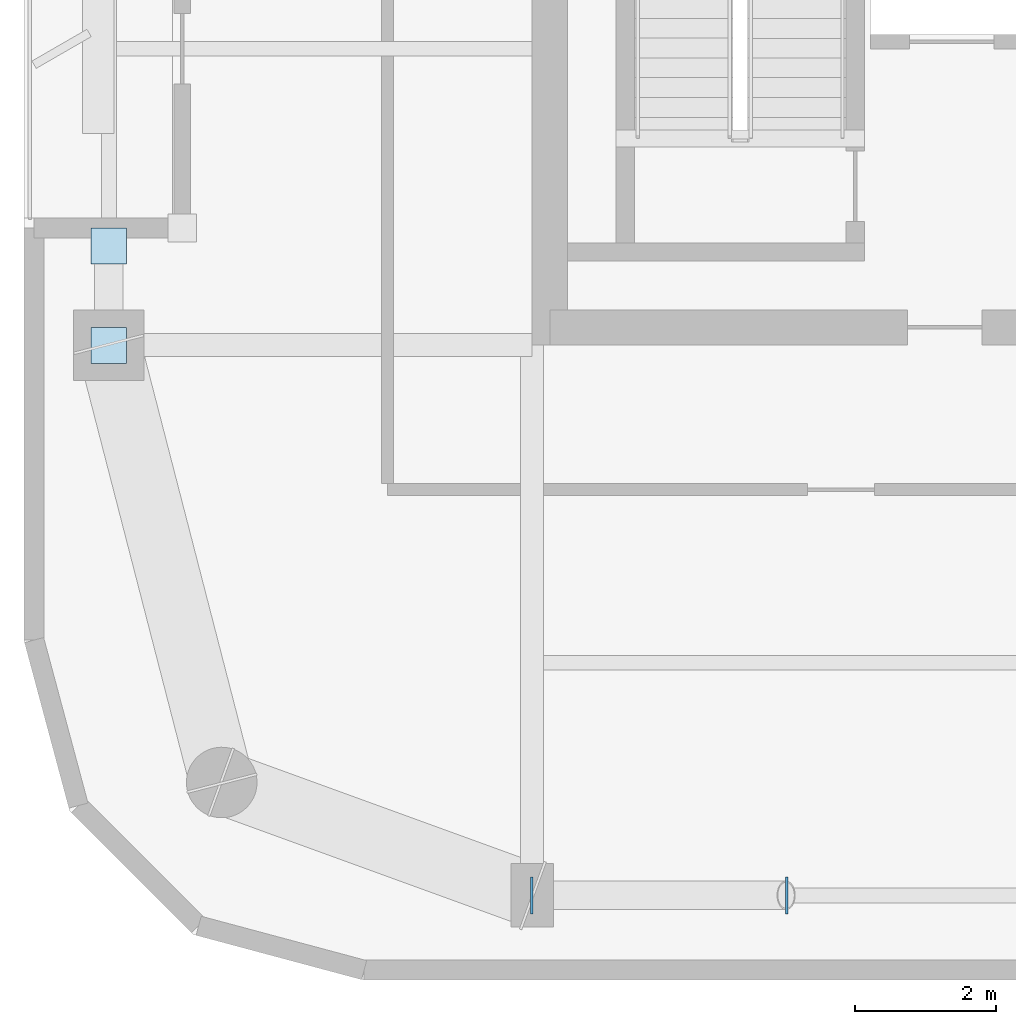
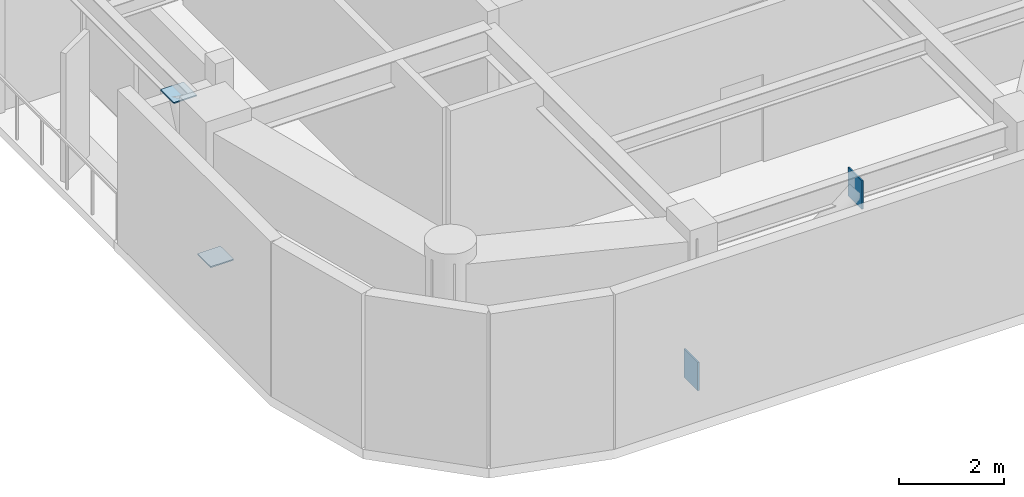
# One storey, part 8 of 15: 4 plates.
"""IFC4 building model written with IfcOpenShell, lengths in metres."""

from ifc_helpers import new_model, si_unit, direction, frame, origin, origin_2d, place, context, subcontext, project, spatial, rectangle, extrude, material, layer, layer_set, type_object, element, save


model = new_model("IFC4")

# Units and contexts
model_context = context("Model", 3, precision=1e-05, world=origin(), true_north=direction((0.0, 1.0)))
body_context = subcontext(model_context, "Body", "Model", "MODEL_VIEW")
ifc_project = project(units=[si_unit("LENGTHUNIT", "METRE"), si_unit("AREAUNIT", "SQUARE_METRE"), si_unit("VOLUMEUNIT", "CUBIC_METRE"), si_unit("PLANEANGLEUNIT", "RADIAN"), si_unit("MASSUNIT", "GRAM", prefix="KILO")], contexts=[model_context])

# Site, building, storey
site_placement = place(None, origin())
site = spatial("IfcSite", under=ifc_project, at=site_placement, CompositionType="ELEMENT")
building_placement = place(site_placement, origin())
building = spatial("IfcBuilding", under=site, at=building_placement, Name="Kiyonajd Concourse Tower", CompositionType="ELEMENT")
storey_placement = place(building_placement, frame((0.0, 0.0, 278.39990234375)))
storey = spatial("IfcBuildingStorey", under=building, at=storey_placement, Name="L70", CompositionType="ELEMENT", Elevation=278.39990234375)

# Plates
ifc_material = material(Name="Steel ASTM A572 Grade 50", Category="steel")
ifc_layer = layer(ifc_material, 0.028076171875)
ifc_layer_set = layer_set([ifc_layer], Name="Steel ASTM A572 Grade 50")
plate_type = type_object("IfcPlateType", Name="PL-CAP-450", PredefinedType="USERDEFINED", material=ifc_layer_set)
for number, where, z_axis, x_axis, name in (
    (1, (32.3916015625, 19.800048828125, -0.039306640625), (0.0, 0.0, 1.0), (-1.0, 0.0, 0.0), "L70 Hollow Brace End Cap Plate PBS"),
    (2, (36.008544921875, 19.800048828125, 2.924560546875), (0.0, 0.0, 1.0), (1.0, 0.0, 0.0), "L70 Hollow Brace Top Cap Plate PBS"),
):
    element("IfcPlate", number, at=place(storey_placement, frame(where, z_axis=z_axis, x_axis=x_axis)), inside=storey, type_object=plate_type, Name=name, ObjectType="CAP PLATE", PredefinedType="USERDEFINED", context=body_context, shape_type="SweptSolid", body=[
        extrude(rectangle(XDim=0.035888671875, YDim=0.52587890625, at=origin_2d()), origin(), (0.0, 0.0, 1.0), 0.6650390625),
    ])
for number, where, z_axis, x_axis, name in (
    (3, (26.39990234375, 27.59521484375, 0.2763671875), (0.0, 0.0, 1.0), (1.0, 0.0, 0.0), "L70 Hollow Brace End Cap Plate PBW"),
    (4, (26.39990234375, 29.004638671875, 3.24609375), (0.0, 0.0, 1.0), (1.0, 0.0, 0.0), "L70 Hollow Brace Top Cap Plate PBW"),
):
    element("IfcPlate", number, at=place(storey_placement, frame(where, z_axis=z_axis, x_axis=x_axis)), inside=storey, type_object=plate_type, Name=name, ObjectType="CAP PLATE", PredefinedType="USERDEFINED", context=body_context, shape_type="SweptSolid", body=[
        extrude(rectangle(XDim=0.506103515625, YDim=0.506103515625, at=origin_2d()), origin(), (0.0, 0.0, 1.0), 0.028076171875),
    ])

save(model, "model.ifc")
